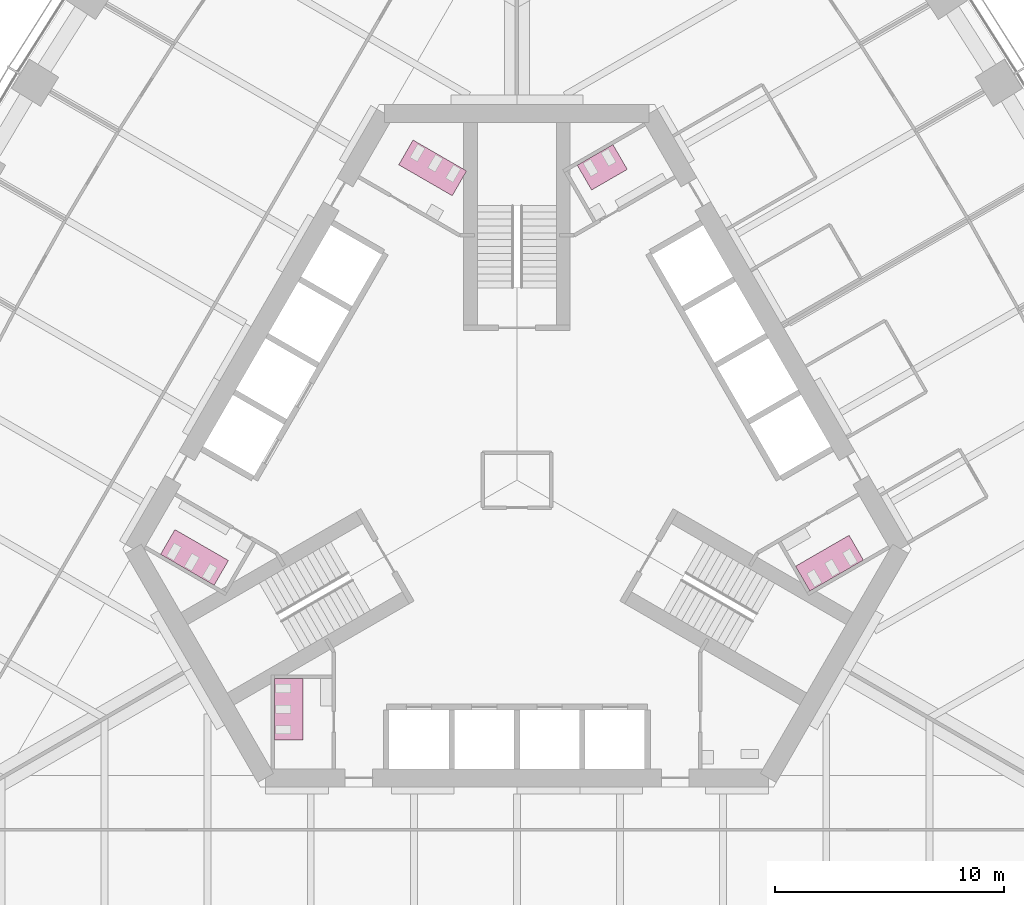
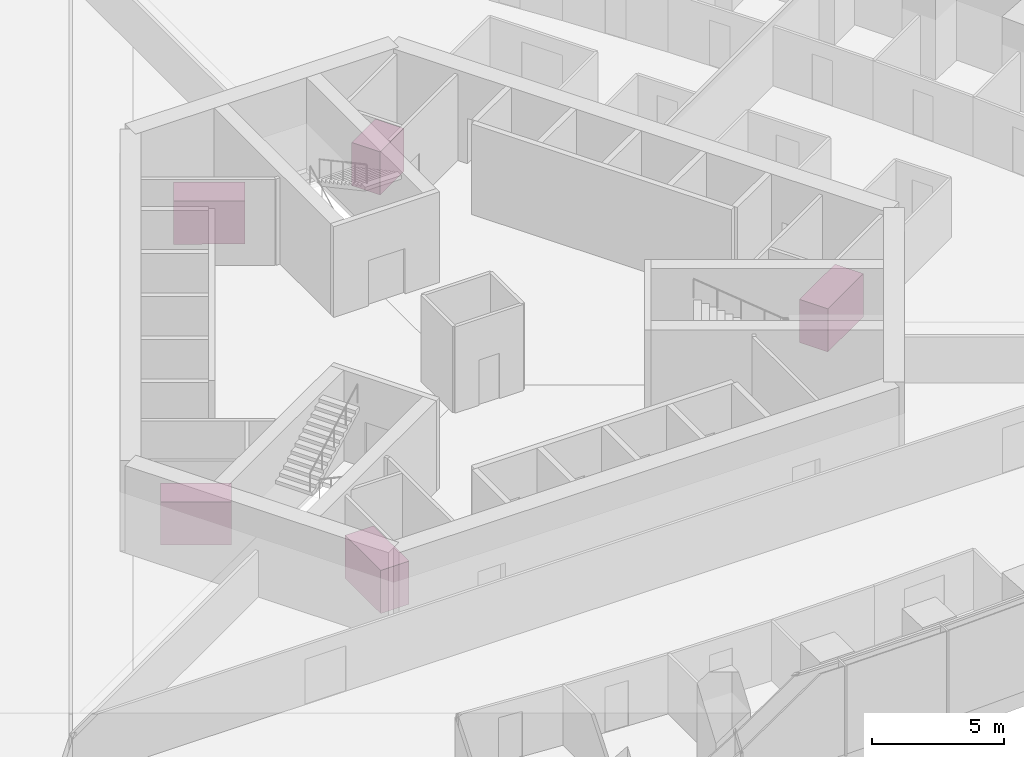
# One storey, part 18 of 18: 5 furniture elements.
"""IFC4 building model written with IfcOpenShell, lengths in metres."""

from ifc_helpers import new_model, si_unit, direction, frame, origin, place, context, subcontext, project, spatial, polyline, outline, extrude, material, type_object, element, save


model = new_model("IFC4")

# Units and contexts
model_context = context("Model", 3, precision=1e-05, world=origin(), true_north=direction((0.0, 1.0)))
body_context = subcontext(model_context, "Body", "Model", "MODEL_VIEW")
ifc_project = project(units=[si_unit("LENGTHUNIT", "METRE"), si_unit("AREAUNIT", "SQUARE_METRE"), si_unit("VOLUMEUNIT", "CUBIC_METRE"), si_unit("PLANEANGLEUNIT", "RADIAN"), si_unit("MASSUNIT", "GRAM", prefix="KILO")], contexts=[model_context])

# Site, building, storey
site_placement = place(None, origin())
site = spatial("IfcSite", under=ifc_project, at=site_placement, CompositionType="ELEMENT")
building_placement = place(site_placement, origin())
building = spatial("IfcBuilding", under=site, at=building_placement, Name="Trefoil Bronze Tower", CompositionType="ELEMENT")
storey_placement = place(building_placement, frame((0.0, 0.0, 54.300048828125)))
storey = spatial("IfcBuildingStorey", under=building, at=storey_placement, Name="L12", CompositionType="ELEMENT", Elevation=54.300048828125)

# Furniture
ifc_material_1 = material(Name="Compact laminate cubicles", Category="plastic")
furniture_type_1 = type_object("IfcFurnitureType", Name="WC cubicle range 2 cubicles", AssemblyPlace="FACTORY", PredefinedType="USERDEFINED", material=ifc_material_1)
furniture_1_placement = place(storey_placement, origin())
element("IfcFurniture", 1, at=furniture_1_placement, inside=storey, type_object=furniture_type_1, Name="WC cubicle range WC (men) L12", ObjectType="WC cubicle range", PredefinedType="USERDEFINED", context=body_context, shape_type="SweptSolid", body=[
    extrude(outline(polyline([(3.256591796875, 12.659423828125), (2.631591796875, 13.741943359375), (4.1904296875, 14.641845703125), (4.8154296875, 13.559326171875), (3.256591796875, 12.659423828125)])), origin(), (0.0, 0.0, 1.0), 2.0),
])
ifc_material_2 = material(Name="Compact laminate cubicles", Category="plastic")
furniture_type_2 = type_object("IfcFurnitureType", Name="WC cubicle range 3 cubicles", AssemblyPlace="FACTORY", PredefinedType="USERDEFINED", material=ifc_material_2)
furniture_2_placement = place(storey_placement, origin())
element("IfcFurniture", 2, at=furniture_2_placement, inside=storey, type_object=furniture_type_2, Name="WC cubicle range WC (women) L12", ObjectType="WC cubicle range", PredefinedType="USERDEFINED", context=body_context, shape_type="SweptSolid", body=[
    extrude(outline(polyline([(12.15869140625, -3.75927734375), (12.78369140625, -4.841796875), (15.121826171875, -3.491943359375), (14.496826171875, -2.409423828125), (12.15869140625, -3.75927734375)])), origin(), (0.0, 0.0, 1.0), 2.0),
])
furniture_3_placement = place(storey_placement, origin())
element("IfcFurniture", 3, at=furniture_3_placement, inside=storey, type_object=furniture_type_2, Name="WC cubicle range WC (women) L12", ObjectType="WC cubicle range", PredefinedType="USERDEFINED", context=body_context, shape_type="SweptSolid", body=[
    extrude(outline(polyline([(-2.82373046875, 12.409423828125), (-2.19873046875, 13.491943359375), (-4.536865234375, 14.841796875), (-5.161865234375, 13.75927734375), (-2.82373046875, 12.409423828125)])), origin(), (0.0, 0.0, 1.0), 2.0),
])
furniture_4_placement = place(storey_placement, origin())
element("IfcFurniture", 4, at=furniture_4_placement, inside=storey, type_object=furniture_type_2, Name="WC cubicle range WC (men) L12", ObjectType="WC cubicle range", PredefinedType="USERDEFINED", context=body_context, shape_type="SweptSolid", body=[
    extrude(outline(polyline([(-12.591552734375, -3.50927734375), (-13.216552734375, -4.591796875), (-15.554931640625, -3.241943359375), (-14.929931640625, -2.159423828125), (-12.591552734375, -3.50927734375)])), origin(), (0.0, 0.0, 1.0), 2.0),
])
furniture_5_placement = place(storey_placement, origin())
element("IfcFurniture", 5, at=furniture_5_placement, inside=storey, type_object=furniture_type_2, Name="WC cubicle range WC (women) L12", ObjectType="WC cubicle range", PredefinedType="USERDEFINED", context=body_context, shape_type="SweptSolid", body=[
    extrude(outline(polyline([(-9.3349609375, -8.64990234375), (-10.5849609375, -8.64990234375), (-10.5849609375, -11.35009765625), (-9.3349609375, -11.35009765625), (-9.3349609375, -8.64990234375)])), origin(), (0.0, 0.0, 1.0), 2.0),
])

save(model, "model.ifc")
